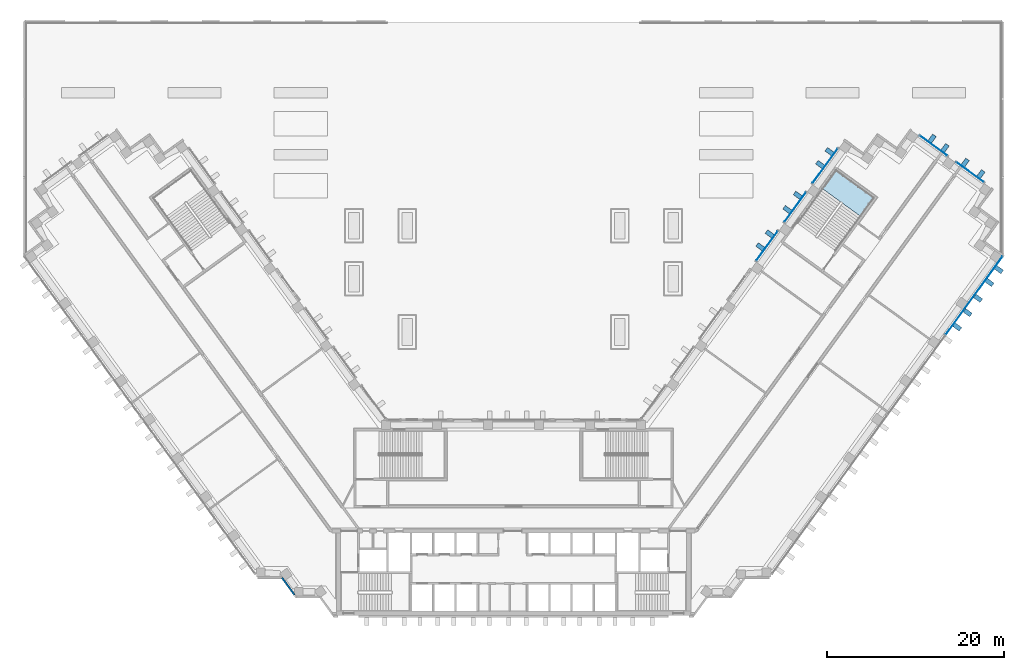
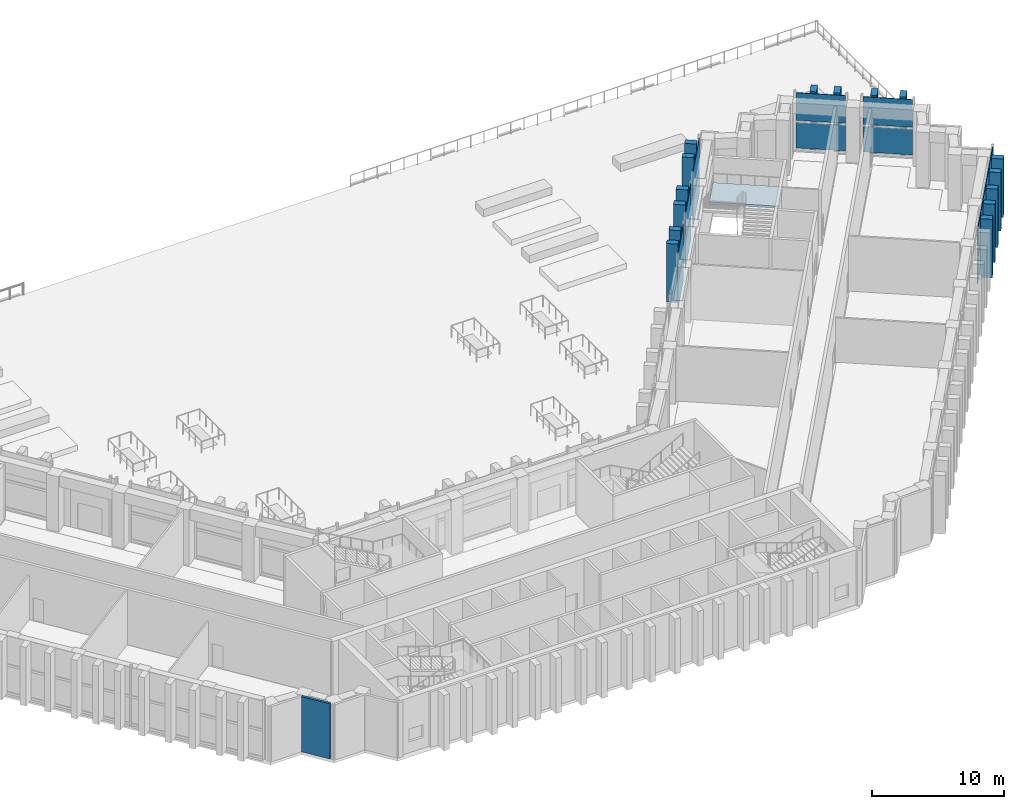
# One storey, part 13 of 25: 27 plates, 1 slab, 1 wall, 7 elements without a shape of their own.
"""IFC4 building model written with IfcOpenShell, lengths in metres."""

import ifcopenshell
import ifcopenshell.guid

model = None  # the IFC model being written
_history = None  # IfcOwnerHistory: only IFC2X3 demands one
_inside = {}  # id of a spatial element -> (the spatial element, [elements in it])
_under = {}  # id of a project, library or spatial element -> (it, [spatial elements below it])
_declared = {}  # id of a project -> (the project, [libraries it declares])
_typed = {}  # id of a type object -> (the type object, [elements of that type])
_made_of = {}  # id of a material, layer set ... -> (it, [elements and type objects made of it])


def new_model(schema):
    """Start an empty IFC model of exactly this schema.

    Asked for "IFC4X3", IfcOpenShell would pick the latest addendum, in which some entities
    have other attributes; the version numbers below select the first issue.
    IFC2X3 requires an IfcOwnerHistory on every rooted entity: one is made here for all.
    """
    global model, _history
    if schema == "IFC4X3":
        model = ifcopenshell.file(schema_version=(4, 3, 0, 0))
    else:
        model = ifcopenshell.file(schema=schema)
    _inside.clear()
    _under.clear()
    _declared.clear()
    _typed.clear()
    _made_of.clear()
    _history = None
    if model.schema == "IFC2X3":
        org = make("IfcOrganization", Name="unknown")
        user = make(
            "IfcPersonAndOrganization",
            ThePerson=make("IfcPerson", FamilyName="unknown"),
            TheOrganization=org,
        )
        app = make(
            "IfcApplication",
            ApplicationDeveloper=org,
            Version="unknown",
            ApplicationFullName="unknown",
            ApplicationIdentifier="unknown",
        )
        _history = make(
            "IfcOwnerHistory",
            OwningUser=user,
            OwningApplication=app,
            ChangeAction="ADDED",
            CreationDate=0,
        )
    return model


def make(cls, **values):
    """One entity of the class cls with the attributes given. An attribute that is None is left unset."""
    return model.create_entity(
        cls, **{name: value for name, value in values.items() if value is not None}
    )


def rooted(cls, **values):
    """An entity with a GlobalId (a new one), such as an element, a storey or a relation."""
    return make(cls, GlobalId=ifcopenshell.guid.new(), OwnerHistory=_history, **values)


def si_unit(unit_type, name, prefix=None):
    """IfcSIUnit, for example si_unit("LENGTHUNIT", "METRE", prefix="MILLI")."""
    return make("IfcSIUnit", UnitType=unit_type, Prefix=prefix, Name=name)


def assignment(units):
    """IfcUnitAssignment: the units of a project."""
    return None if units is None else make("IfcUnitAssignment", Units=units)


def point(xyz):
    """IfcCartesianPoint."""
    return None if xyz is None else make("IfcCartesianPoint", Coordinates=xyz)


def direction(xyz):
    """IfcDirection."""
    return None if xyz is None else make("IfcDirection", DirectionRatios=xyz)


def frame(location, z_axis=None, x_axis=None):
    """IfcAxis2Placement3D, a coordinate frame: its origin and axes. An axis left out is left unset."""
    return make(
        "IfcAxis2Placement3D",
        Location=point(location),
        Axis=direction(z_axis),
        RefDirection=direction(x_axis),
    )


def frame_2d(location, x_axis=None):
    """IfcAxis2Placement2D, a coordinate frame in the plane: its origin and x axis."""
    return make(
        "IfcAxis2Placement2D", Location=point(location), RefDirection=direction(x_axis)
    )


def origin():
    """The frame at (0, 0, 0) with its axes left unset."""
    return frame((0.0, 0.0, 0.0))


def origin_2d():
    """The frame at (0, 0) in the plane with its x axis left unset."""
    return frame_2d((0.0, 0.0))


def place(relative_to, where):
    """IfcLocalPlacement: puts the frame where relative to a parent placement (None: the world)."""
    return make(
        "IfcLocalPlacement", PlacementRelTo=relative_to, RelativePlacement=where
    )


def context(
    kind, dimensions, precision=None, world=None, true_north=None, identifier=None
):
    """IfcGeometricRepresentationContext, for example the 3D "Model" context."""
    return make(
        "IfcGeometricRepresentationContext",
        ContextIdentifier=identifier,
        ContextType=kind,
        CoordinateSpaceDimension=dimensions,
        Precision=precision,
        WorldCoordinateSystem=world,
        TrueNorth=true_north,
    )


def subcontext(parent, identifier, kind, view, scale=None):
    """IfcGeometricRepresentationSubContext, for example "Body" below "Model"."""
    return make(
        "IfcGeometricRepresentationSubContext",
        ContextIdentifier=identifier,
        ContextType=kind,
        ParentContext=parent,
        TargetScale=scale,
        TargetView=view,
    )


def project(units=None, contexts=None):
    """IfcProject with its units and contexts."""
    return rooted(
        "IfcProject",
        Name="project",
        RepresentationContexts=contexts,
        UnitsInContext=assignment(units),
    )


def spatial(cls, under=None, at=None, **own):
    """A site, building, storey or space (cls), placed at a placement, below another one or the project."""
    s = rooted(cls, ObjectPlacement=at, **own)
    if under is not None:
        _under.setdefault(under.id(), (under, []))[1].append(s)
    return s


def polyline(points):
    """IfcPolyline through the points."""
    return make("IfcPolyline", Points=[point(p) for p in points])


def profile(cls, at=None, kind="AREA", **sizes):
    """A parametric profile (cls). Its sizes go by their IFC names, for example OverallWidth=200.0."""
    return make(cls, ProfileType=kind, Position=at, **sizes)


def rectangle(**sizes):
    """IfcRectangleProfileDef."""
    return profile("IfcRectangleProfileDef", **sizes)


def outline(outer, holes=None, kind="AREA"):
    """IfcArbitraryClosedProfileDef: a profile drawn as a closed curve; with holes, ...WithVoids."""
    if holes is None:
        return make("IfcArbitraryClosedProfileDef", ProfileType=kind, OuterCurve=outer)
    return make(
        "IfcArbitraryProfileDefWithVoids",
        ProfileType=kind,
        OuterCurve=outer,
        InnerCurves=holes,
    )


def extrude(swept, where, along, depth):
    """IfcExtrudedAreaSolid: the profile swept, set in the frame where, extruded along a direction by depth."""
    return make(
        "IfcExtrudedAreaSolid",
        SweptArea=swept,
        Position=where,
        ExtrudedDirection=direction(along),
        Depth=depth,
    )


def shape(context_of_items, identifier, shape_type, items):
    """IfcShapeRepresentation: the items that make up one representation, for example the "Body"."""
    return make(
        "IfcShapeRepresentation",
        ContextOfItems=context_of_items,
        RepresentationIdentifier=identifier,
        RepresentationType=shape_type,
        Items=items,
    )


def material(Name=None, Category=None):
    """IfcMaterial."""
    return make("IfcMaterial", Name=Name, Category=Category)


def layer(
    of_material, thickness, ventilated=None, Name=None, Category=None, Priority=None
):
    """IfcMaterialLayer: one layer of a wall or slab, of a material (None: an air gap)."""
    return make(
        "IfcMaterialLayer",
        Material=of_material,
        LayerThickness=thickness,
        IsVentilated=ventilated,
        Name=Name,
        Category=Category,
        Priority=Priority,
    )


def layer_set(layers, Name=None):
    """IfcMaterialLayerSet."""
    return make("IfcMaterialLayerSet", MaterialLayers=layers, LayerSetName=Name)


def made_of(thing, what):
    """Note that an element or type object is made of a material, layer set ...; save() writes the relation."""
    if what is not None:
        _made_of.setdefault(what.id(), (what, []))[1].append(thing)
    return thing


def type_object(cls, material=None, **own):
    """A type object (cls), such as IfcWallType, which elements share."""
    return made_of(rooted(cls, **own), material)


def element(
    cls,
    number,
    at=None,
    inside=None,
    cuts=None,
    type_object=None,
    material=None,
    context=None,
    identifier="Body",
    shape_type=None,
    held_by="IfcProductDefinitionShape",
    body=None,
    shapes=None,
    **own,
):
    """One element of the class cls, such as IfcWall. Its Tag is "e" and its number.

    at: its placement. inside: the storey or other place that contains it. cuts: it is an
    opening in that element (IfcRelVoidsElement). A single representation is given by context,
    identifier, shape_type and body (its items); several are given by shapes. held_by: the class
    of the entity that holds the representations. save() writes the other relations.
    """
    e = rooted(cls, Tag="e%d" % number, ObjectPlacement=at, **own)
    if body is not None:
        shapes = [shape(context, identifier, shape_type, body)]
    if shapes is not None:
        e.Representation = make(held_by, Representations=shapes)
    if inside is not None:
        _inside.setdefault(inside.id(), (inside, []))[1].append(e)
    if cuts is not None:
        rooted(
            "IfcRelVoidsElement", RelatingBuildingElement=cuts, RelatedOpeningElement=e
        )
    if type_object is not None:
        _typed.setdefault(type_object.id(), (type_object, []))[1].append(e)
    return made_of(e, material)


def aggregate(whole, parts):
    """IfcRelAggregates: a whole, such as a stair, and the parts it consists of."""
    return rooted("IfcRelAggregates", RelatingObject=whole, RelatedObjects=parts)


def save(model, path):
    """Write the relations noted so far, then the file.

    IfcRelAggregates (storeys below a building ...), IfcRelContainedInSpatialStructure (elements
    in a storey), IfcRelDefinesByType, IfcRelAssociatesMaterial and IfcRelDeclares: one each for
    every whole, place, type object, material and project.
    """
    for whole, parts in _under.values():
        aggregate(whole, parts)
    for where, things in _inside.values():
        rooted(
            "IfcRelContainedInSpatialStructure",
            RelatedElements=things,
            RelatingStructure=where,
        )
    for kind, things in _typed.values():
        rooted("IfcRelDefinesByType", RelatedObjects=things, RelatingType=kind)
    for what, things in _made_of.values():
        rooted("IfcRelAssociatesMaterial", RelatedObjects=things, RelatingMaterial=what)
    for by, libraries in _declared.values():
        rooted("IfcRelDeclares", RelatingContext=by, RelatedDefinitions=libraries)
    model.write(path)


model = new_model("IFC4")

# Units and contexts
model_context = context("Model", 3, precision=1e-05, world=origin(), true_north=direction((0.0, 1.0)))
body_context = subcontext(model_context, "Body", "Model", "MODEL_VIEW")
ifc_project = project(units=[si_unit("LENGTHUNIT", "METRE"), si_unit("AREAUNIT", "SQUARE_METRE"), si_unit("VOLUMEUNIT", "CUBIC_METRE"), si_unit("PLANEANGLEUNIT", "RADIAN"), si_unit("MASSUNIT", "GRAM", prefix="KILO")], contexts=[model_context])

# Site, building, storey
site_placement = place(None, origin())
site = spatial("IfcSite", under=ifc_project, at=site_placement, CompositionType="ELEMENT")
building_placement = place(site_placement, origin())
building = spatial("IfcBuilding", under=site, at=building_placement, Name="Quipu Civic Tower", CompositionType="ELEMENT")
storey_placement = place(building_placement, frame((0.0, 0.0, 6.0)))
storey = spatial("IfcBuildingStorey", under=building, at=storey_placement, Name="L01", CompositionType="ELEMENT", Elevation=6.0)

# Curtain wall, plates
ifc_material_1 = material(Name="Insulated glass unit", Category="glass")
curtain_wall_type = type_object("IfcCurtainWallType", Name="Council chamber curtain wall CW4", PredefinedType="NOTDEFINED", material=ifc_material_1)
curtain_wall_1_placement = place(storey_placement, origin())
curtain_wall_1 = element("IfcCurtainWall", 1, at=curtain_wall_1_placement, inside=storey, type_object=curtain_wall_type, Name="Council chamber curtain wall CW4 L01 run 34", PredefinedType="NOTDEFINED")
ifc_material_2 = material(Name="Insulated glass unit", Category="glass")
ifc_layer_1 = layer(ifc_material_2, 0.048095703125)
ifc_layer_set_1 = layer_set([ifc_layer_1], Name="Insulated glass unit")
plate_type_1 = type_object("IfcPlateType", Name="Glass panel CW4", PredefinedType="CURTAIN_PANEL", material=ifc_layer_set_1)
plate_1_placement = place(storey_placement, frame((51.962158203125, 25.107421875, 0.300048828125), z_axis=(0.0, 0.0, 1.0), x_axis=(0.587785356329, 0.809016918788, 0.0)))
plate_1 = element("IfcPlate", 2, at=plate_1_placement, type_object=plate_type_1, Name="CW4 panel 4.1", PredefinedType="CURTAIN_PANEL", context=body_context, shape_type="SweptSolid", body=[
    extrude(rectangle(XDim=10.881591796875, YDim=0.048095703125, at=origin_2d()), origin(), (0.0, 0.0, 1.0), 2.35009765625),
])
plate_2_placement = place(storey_placement, frame((51.962158203125, 25.107421875, 2.85009765625), z_axis=(0.0, 0.0, 1.0), x_axis=(0.587785356329, 0.809016918788, 0.0)))
plate_2 = element("IfcPlate", 3, at=plate_2_placement, type_object=plate_type_1, Name="CW4 panel 4.2", PredefinedType="CURTAIN_PANEL", context=body_context, shape_type="SweptSolid", body=[
    extrude(rectangle(XDim=10.881591796875, YDim=0.048095703125, at=origin_2d()), origin(), (0.0, 0.0, 1.0), 2.550048828125),
])
aggregate(curtain_wall_1, [plate_1, plate_2])

curtain_wall_2_placement = place(storey_placement, origin())
curtain_wall_2 = element("IfcCurtainWall", 4, at=curtain_wall_2_placement, inside=storey, type_object=curtain_wall_type, Name="Council chamber curtain wall CW4 L01 run 39", PredefinedType="NOTDEFINED")
plate_3_placement = place(storey_placement, frame((51.51025390625, 39.033447265625, 0.300048828125), z_axis=(0.0, 0.0, 1.0), x_axis=(-0.809014568883, 0.587788590681, 0.0)))
plate_3 = element("IfcPlate", 5, at=plate_3_placement, type_object=plate_type_1, Name="CW4 panel 1.1", PredefinedType="CURTAIN_PANEL", context=body_context, shape_type="SweptSolid", body=[
    extrude(rectangle(XDim=3.778076171875, YDim=0.048095703125, at=origin_2d()), origin(), (0.0, 0.0, 1.0), 2.35009765625),
])
plate_4_placement = place(storey_placement, frame((51.51025390625, 39.033447265625, 2.85009765625), z_axis=(0.0, 0.0, 1.0), x_axis=(-0.809014568883, 0.587788590681, 0.0)))
plate_4 = element("IfcPlate", 6, at=plate_4_placement, type_object=plate_type_1, Name="CW4 panel 1.2", PredefinedType="CURTAIN_PANEL", context=body_context, shape_type="SweptSolid", body=[
    extrude(rectangle(XDim=3.778076171875, YDim=0.048095703125, at=origin_2d()), origin(), (0.0, 0.0, 1.0), 2.550048828125),
])
aggregate(curtain_wall_2, [plate_3, plate_4])

curtain_wall_3_placement = place(storey_placement, origin())
curtain_wall_3 = element("IfcCurtainWall", 7, at=curtain_wall_3_placement, inside=storey, type_object=curtain_wall_type, Name="Council chamber curtain wall CW4 L01 run 40", PredefinedType="NOTDEFINED")
plate_5_placement = place(storey_placement, frame((47.385009765625, 42.03076171875, 0.300048828125), z_axis=(0.0, 0.0, 1.0), x_axis=(-0.809030241342, 0.587767018974, 0.0)))
plate_5 = element("IfcPlate", 8, at=plate_5_placement, type_object=plate_type_1, Name="CW4 panel 1.1", PredefinedType="CURTAIN_PANEL", context=body_context, shape_type="SweptSolid", body=[
    extrude(rectangle(XDim=3.780029296875, YDim=0.048095703125, at=origin_2d()), origin(), (0.0, 0.0, 1.0), 2.35009765625),
])
plate_6_placement = place(storey_placement, frame((47.385009765625, 42.03076171875, 2.85009765625), z_axis=(0.0, 0.0, 1.0), x_axis=(-0.809030241342, 0.587767018974, 0.0)))
plate_6 = element("IfcPlate", 9, at=plate_6_placement, type_object=plate_type_1, Name="CW4 panel 1.2", PredefinedType="CURTAIN_PANEL", context=body_context, shape_type="SweptSolid", body=[
    extrude(rectangle(XDim=3.780029296875, YDim=0.048095703125, at=origin_2d()), origin(), (0.0, 0.0, 1.0), 2.550048828125),
])
aggregate(curtain_wall_3, [plate_5, plate_6])

curtain_wall_4_placement = place(storey_placement, origin())
curtain_wall_4 = element("IfcCurtainWall", 10, at=curtain_wall_4_placement, inside=storey, type_object=curtain_wall_type, Name="Council chamber curtain wall CW4 L01 run 45", PredefinedType="NOTDEFINED")
plate_7_placement = place(storey_placement, frame((35.149658203125, 39.736328125, 0.300048828125), z_axis=(0.0, 0.0, 1.0), x_axis=(-0.587782980465, -0.809018644949, 0.0)))
plate_7 = element("IfcPlate", 11, at=plate_7_placement, type_object=plate_type_1, Name="CW4 panel 1.1", PredefinedType="CURTAIN_PANEL", context=body_context, shape_type="SweptSolid", body=[
    extrude(rectangle(XDim=4.774658203125, YDim=0.048095703125, at=origin_2d()), origin(), (0.0, 0.0, 1.0), 2.35009765625),
])
plate_8_placement = place(storey_placement, frame((35.149658203125, 39.736328125, 2.85009765625), z_axis=(0.0, 0.0, 1.0), x_axis=(-0.587782980465, -0.809018644949, 0.0)))
plate_8 = element("IfcPlate", 12, at=plate_8_placement, type_object=plate_type_1, Name="CW4 panel 1.2", PredefinedType="CURTAIN_PANEL", context=body_context, shape_type="SweptSolid", body=[
    extrude(rectangle(XDim=4.774658203125, YDim=0.048095703125, at=origin_2d()), origin(), (0.0, 0.0, 1.0), 2.550048828125),
])
aggregate(curtain_wall_4, [plate_7, plate_8])

curtain_wall_5_placement = place(storey_placement, origin())
curtain_wall_5 = element("IfcCurtainWall", 13, at=curtain_wall_5_placement, inside=storey, type_object=curtain_wall_type, Name="Council chamber curtain wall CW4 L01 run 46", PredefinedType="NOTDEFINED")
plate_9_placement = place(storey_placement, frame((31.771484375, 35.086669921875, 0.300048828125), z_axis=(0.0, 0.0, 1.0), x_axis=(-0.587789203544, -0.809014123608, 0.0)))
plate_9 = element("IfcPlate", 14, at=plate_9_placement, type_object=plate_type_1, Name="CW4 panel 1.1", PredefinedType="CURTAIN_PANEL", context=body_context, shape_type="SweptSolid", body=[
    extrude(rectangle(XDim=4.080078125, YDim=0.048095703125, at=origin_2d()), origin(), (0.0, 0.0, 1.0), 2.35009765625),
])
plate_10_placement = place(storey_placement, frame((31.771484375, 35.086669921875, 2.85009765625), z_axis=(0.0, 0.0, 1.0), x_axis=(-0.587789203544, -0.809014123608, 0.0)))
plate_10 = element("IfcPlate", 15, at=plate_10_placement, type_object=plate_type_1, Name="CW4 panel 1.2", PredefinedType="CURTAIN_PANEL", context=body_context, shape_type="SweptSolid", body=[
    extrude(rectangle(XDim=4.080078125, YDim=0.048095703125, at=origin_2d()), origin(), (0.0, 0.0, 1.0), 2.550048828125),
])
aggregate(curtain_wall_5, [plate_9, plate_10])

curtain_wall_6_placement = place(storey_placement, origin())
curtain_wall_6 = element("IfcCurtainWall", 16, at=curtain_wall_6_placement, inside=storey, type_object=curtain_wall_type, Name="Council chamber curtain wall CW4 L01 run 47", PredefinedType="NOTDEFINED")
plate_11_placement = place(storey_placement, frame((28.597412109375, 30.718017578125, 0.300048828125), z_axis=(0.0, 0.0, 1.0), x_axis=(-0.587785135859, -0.809017078969, 0.0)))
plate_11 = element("IfcPlate", 17, at=plate_11_placement, type_object=plate_type_1, Name="CW4 panel 1.1", PredefinedType="CURTAIN_PANEL", context=body_context, shape_type="SweptSolid", body=[
    extrude(rectangle(XDim=4.079833984375, YDim=0.048095703125, at=origin_2d()), origin(), (0.0, 0.0, 1.0), 2.35009765625),
])
plate_12_placement = place(storey_placement, frame((28.597412109375, 30.718017578125, 2.85009765625), z_axis=(0.0, 0.0, 1.0), x_axis=(-0.587785135859, -0.809017078969, 0.0)))
plate_12 = element("IfcPlate", 18, at=plate_12_placement, type_object=plate_type_1, Name="CW4 panel 1.2", PredefinedType="CURTAIN_PANEL", context=body_context, shape_type="SweptSolid", body=[
    extrude(rectangle(XDim=4.079833984375, YDim=0.048095703125, at=origin_2d()), origin(), (0.0, 0.0, 1.0), 2.550048828125),
])
aggregate(curtain_wall_6, [plate_11, plate_12])

# Plates
ifc_material_3 = material(Name="Precast concrete C40/50", Category="concrete")
plate_type_2 = type_object("IfcPlateType", Name="Precast fin F0", PredefinedType="SHEET", material=ifc_material_3)
for number, where, z_axis, x_axis, name in (
    (19, (50.064208984375, 21.5595703125, 0.10009765625), (0.0, 0.0, 1.0), (0.587785716149, 0.809016657363, 0.0), "Precast fin F0 L01.34.18"),
    (20, (51.23974609375, 23.177734375, 0.10009765625), (0.0, 0.0, 1.0), (0.587785716149, 0.809016657363, 0.0), "Precast fin F0 L01.34.19"),
    (21, (52.415283203125, 24.795654296875, 0.10009765625), (0.0, 0.0, 1.0), (0.587785716149, 0.809016657363, 0.0), "Precast fin F0 L01.34.20"),
    (22, (53.70849609375, 26.575439453125, 0.10009765625), (0.0, 0.0, 1.0), (0.587785716149, 0.809016657363, 0.0), "Precast fin F0 L01.34.21"),
    (23, (54.766357421875, 28.03173828125, 0.10009765625), (0.0, 0.0, 1.0), (0.587785716149, 0.809016657363, 0.0), "Precast fin F0 L01.34.22"),
    (24, (52.73828125, 38.821044921875, 0.10009765625), (0.0, 0.0, 1.0), (-0.809021318545, 0.587779300537, 0.0), "Precast fin F0 L01.39.1"),
    (25, (50.95849609375, 40.1142578125, 0.10009765625), (0.0, 0.0, 1.0), (-0.809021318545, 0.587779300537, 0.0), "Precast fin F0 L01.39.2"),
    (26, (48.686279296875, 41.76513671875, 0.10009765625), (0.0, 0.0, 1.0), (-0.809021318545, 0.587779300537, 0.0), "Precast fin F0 L01.40.1"),
    (27, (47.22998046875, 42.822998046875, 0.10009765625), (0.0, 0.0, 1.0), (-0.809021318545, 0.587779300537, 0.0), "Precast fin F0 L01.40.2"),
    (28, (35.64453125, 41.35302734375, 0.10009765625), (0.0, 0.0, 1.0), (-0.587784944053, -0.809017218324, 0.0), "Precast fin F0 L01.45.1"),
    (29, (34.58642578125, 39.896728515625, 0.10009765625), (0.0, 0.0, 1.0), (-0.587784944053, -0.809017218324, 0.0), "Precast fin F0 L01.45.2"),
    (30, (32.066650390625, 36.428466796875, 0.10009765625), (0.0, 0.0, 1.0), (-0.587784944053, -0.809017218324, 0.0), "Precast fin F0 L01.46.1"),
    (31, (30.89111328125, 34.810546875, 0.10009765625), (0.0, 0.0, 1.0), (-0.587784944053, -0.809017218324, 0.0), "Precast fin F0 L01.46.2"),
    (32, (28.896484375, 32.065185546875, 0.10009765625), (0.0, 0.0, 1.0), (-0.587784944053, -0.809017218324, 0.0), "Precast fin F0 L01.47.1"),
    (33, (27.838623046875, 30.609130859375, 0.10009765625), (0.0, 0.0, 1.0), (-0.587784944053, -0.809017218324, 0.0), "Precast fin F0 L01.47.2"),
):
    element("IfcPlate", number, at=place(storey_placement, frame(where, z_axis=z_axis, x_axis=x_axis)), inside=storey, type_object=plate_type_2, Name=name, PredefinedType="SHEET", context=body_context, shape_type="SweptSolid", body=[
        extrude(rectangle(XDim=0.5, YDim=0.89990234375, at=origin_2d()), origin(), (0.0, 0.0, 1.0), 5.39990234375),
    ])

# Stair, slab
ifc_material_4 = material(Name="Concrete C40/50", Category="concrete")
stair_type = type_object("IfcStairType", Name="Half turn stair 2600", PredefinedType="HALF_TURN_STAIR", material=ifc_material_4)
stair_placement = place(storey_placement, origin())
stair = element("IfcStair", 34, at=stair_placement, inside=storey, type_object=stair_type, Name="Exit stair 7", PredefinedType="HALF_TURN_STAIR")
ifc_material_5 = material(Name="Concrete C40/50", Category="concrete")
ifc_layer_2 = layer(ifc_material_5, 0.199951171875)
ifc_layer_set_2 = layer_set([ifc_layer_2], Name="Concrete C40/50")
slab_type = type_object("IfcSlabType", Name="Stair landing 200", PredefinedType="LANDING", material=ifc_layer_set_2)
slab_placement = place(storey_placement, frame((0.0, 0.0, 2.550048828125)))
slab = element("IfcSlab", 35, at=slab_placement, type_object=slab_type, Name="ST-7 landing 1", PredefinedType="LANDING", context=body_context, shape_type="SweptSolid", body=[
    extrude(outline(polyline([(39.16552734375, 34.034912109375), (40.69384765625, 36.138427734375), (36.365478515625, 39.282958984375), (34.837158203125, 37.179443359375), (39.16552734375, 34.034912109375)])), origin(), (0.0, 0.0, 1.0), 0.199951171875),
])
aggregate(stair, [slab])

# Wall
ifc_material_6 = material(Name="Precast concrete C40/50", Category="concrete")
wall_type = type_object("IfcWallType", Name="Precast cladding wall", PredefinedType="SOLIDWALL", material=ifc_material_6)
wall_placement = place(storey_placement, frame((-26.1201171875, -6.72412109375, 0.0), z_axis=(0.0, 0.0, 1.0), x_axis=(0.587706476352, -0.809074222587, 0.0)))
element("IfcWall", 36, at=wall_placement, inside=storey, type_object=wall_type, Name="Precast cladding wall L01 22", PredefinedType="SOLIDWALL", context=body_context, shape_type="SweptSolid", body=[
    extrude(rectangle(XDim=2.403076171875, YDim=0.199951171875, at=frame_2d((1.20166015625, 0.0))), origin(), (0.0, 0.0, 1.0), 5.10009765625),
])

save(model, "model.ifc")
